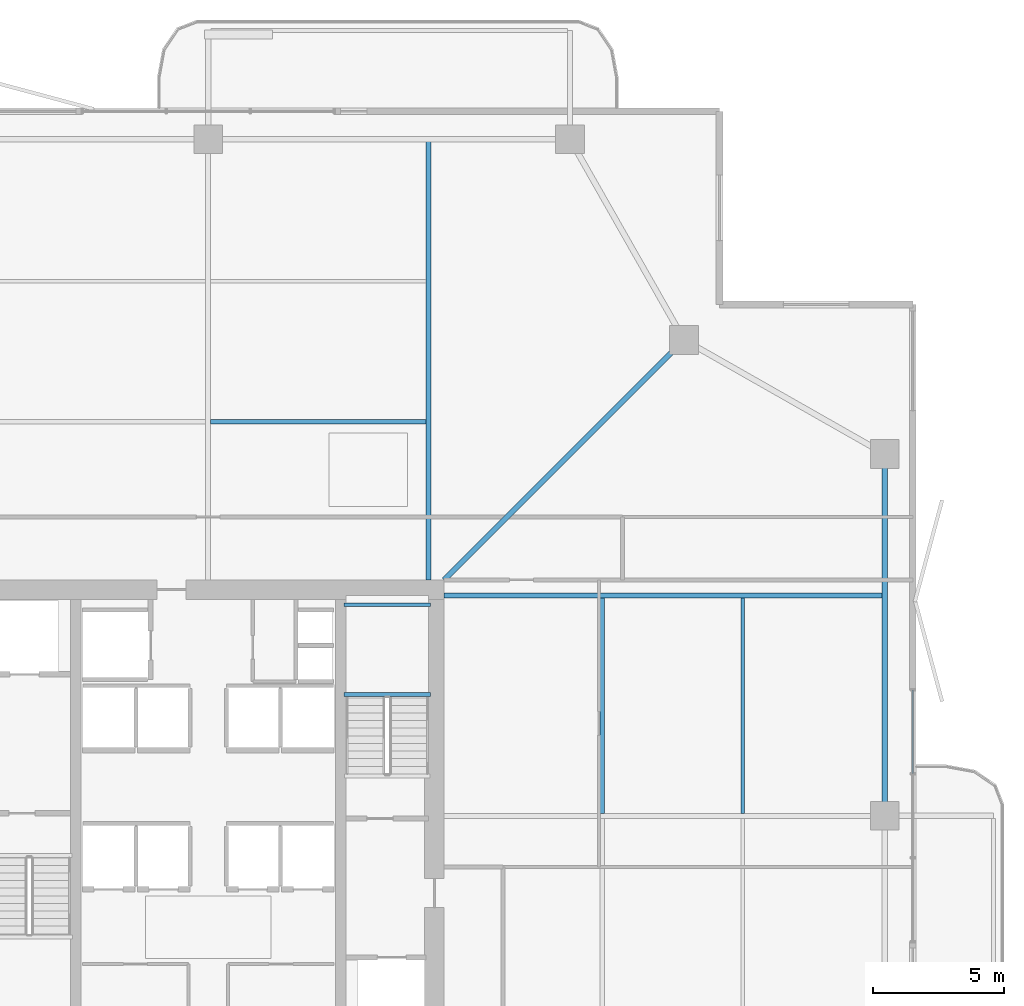
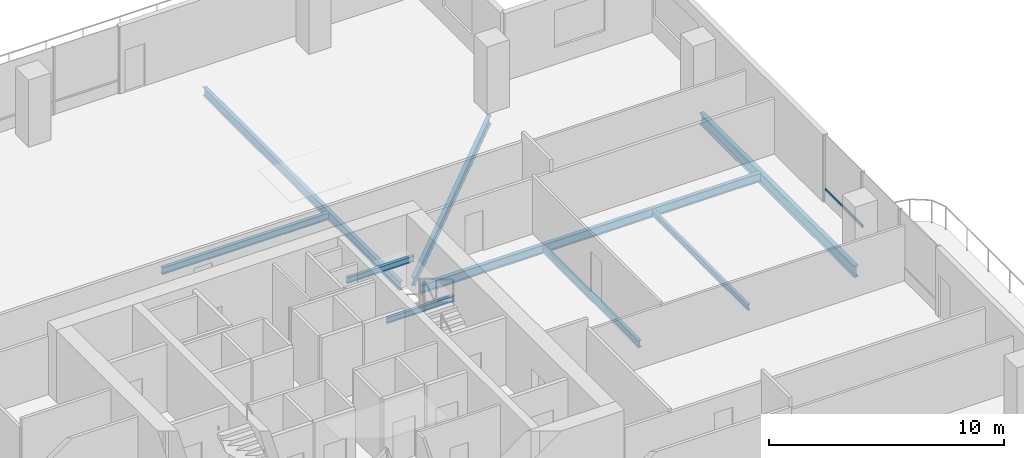
# One storey, part 12 of 23: 9 beams, 1 member, 1 element without a shape of its own.
"""IFC4 building model written with IfcOpenShell, lengths in metres."""

from ifc_helpers import new_model, si_unit, direction, frame, origin, origin_2d, place, context, subcontext, project, spatial, hollow_rectangle, i_section, extrude, material, layer, layer_set, material_profile, profile_set, type_object, element, aggregate, save


model = new_model("IFC4")

# Units and contexts
model_context = context("Model", 3, precision=1e-05, world=origin(), true_north=direction((0.0, 1.0)))
body_context = subcontext(model_context, "Body", "Model", "MODEL_VIEW")
ifc_project = project(units=[si_unit("LENGTHUNIT", "METRE"), si_unit("AREAUNIT", "SQUARE_METRE"), si_unit("VOLUMEUNIT", "CUBIC_METRE"), si_unit("PLANEANGLEUNIT", "RADIAN"), si_unit("MASSUNIT", "GRAM", prefix="KILO")], contexts=[model_context])

# Site, building, storey
site_placement = place(None, origin())
site = spatial("IfcSite", under=ifc_project, at=site_placement, CompositionType="ELEMENT")
building_placement = place(site_placement, origin())
building = spatial("IfcBuilding", under=site, at=building_placement, Name="Belovzor Exchange Tower", CompositionType="ELEMENT")
storey_placement = place(building_placement, frame((0.0, 0.0, 229.949951171875)))
storey = spatial("IfcBuildingStorey", under=building, at=storey_placement, Name="L57", CompositionType="ELEMENT", Elevation=229.949951171875)

# Beams
ifc_material_1 = material(Name="Steel S355", Category="steel")
ifc_material_profile_1 = material_profile(ifc_material_1, i_section(OverallWidth=0.169921875, OverallDepth=0.360107421875, WebThickness=0.008056640625, FlangeThickness=0.0126953125, at=origin_2d()))
ifc_profile_set_1 = profile_set([ifc_material_profile_1], Name="Steel S355")
beam_type_1 = type_object("IfcBeamType", Name="Secondary Infill Floor Joist IPE 360", PredefinedType="BEAM", material=ifc_profile_set_1)
for number, where, z_axis, x_axis, name in (
    (1, (28.89501953125, 43.827880859375, -0.429931640625), (1.0, 0.0, 0.0), (0.0, 1.0, 0.0), "FJ-360 Secondary Infill Floor Joist IPE 360"),
    (2, (43.827880859375, 28.89501953125, -0.429931640625), (0.0, 1.0, 0.0), (-1.0, 0.0, 0.0), "FJ-360 Secondary Infill Floor Joist IPE 360"),
):
    element("IfcBeam", number, at=place(storey_placement, frame(where, z_axis=z_axis, x_axis=x_axis)), inside=storey, type_object=beam_type_1, Name=name, PredefinedType="BEAM", context=body_context, shape_type="SweptSolid", body=[
        extrude(i_section(OverallWidth=0.169921875, OverallDepth=0.360107421875, WebThickness=0.008056640625, FlangeThickness=0.0126953125, at=origin_2d()), origin(), (0.0, 0.0, 1.0), 8.2099609375),
    ])
ifc_material_2 = material(Name="Steel S355", Category="steel")
ifc_material_profile_2 = material_profile(ifc_material_2, i_section(OverallWidth=0.14990234375, OverallDepth=0.300048828125, WebThickness=0.007080078125, FlangeThickness=0.0107421875, at=origin_2d()))
ifc_profile_set_2 = profile_set([ifc_material_profile_2], Name="Steel S355")
beam_type_2 = type_object("IfcBeamType", Name="Secondary Trim Floor Joist IPE 300", PredefinedType="BEAM", material=ifc_profile_set_2)
for number, where, z_axis, x_axis, name in (
    (3, (37.280029296875, 33.419921875, 1.525146484375), (-1.0, 0.0, 0.0), (0.0, -1.0, 0.0), "FJ-300 Secondary Trim Floor Joist IPE 300"),
    (4, (37.280029296875, 36.85009765625, 1.525146484375), (-1.0, 0.0, 0.0), (0.0, -1.0, 0.0), "FJ-300 Secondary Trim Floor Joist IPE 300"),
):
    element("IfcBeam", number, at=place(storey_placement, frame(where, z_axis=z_axis, x_axis=x_axis)), inside=storey, type_object=beam_type_2, Name=name, PredefinedType="BEAM", context=body_context, shape_type="SweptSolid", body=[
        extrude(i_section(OverallWidth=0.14990234375, OverallDepth=0.300048828125, WebThickness=0.007080078125, FlangeThickness=0.0107421875, at=origin_2d()), origin(), (0.0, 0.0, 1.0), 3.31005859375),
    ])
beam_1_placement = place(storey_placement, frame((49.18701171875, 28.89501953125, -0.39990234375), z_axis=(0.0, 1.0, 0.0), x_axis=(-1.0, 0.0, 0.0)))
element("IfcBeam", 5, at=beam_1_placement, inside=storey, type_object=beam_type_2, Name="FJ-300 Secondary Trim Floor Joist IPE 300", PredefinedType="BEAM", context=body_context, shape_type="SweptSolid", body=[
    extrude(i_section(OverallWidth=0.14990234375, OverallDepth=0.300048828125, WebThickness=0.007080078125, FlangeThickness=0.0107421875, at=origin_2d()), origin(), (0.0, 0.0, 1.0), 8.2099609375),
])

# Curtain wall, member
ifc_material_3 = material(Name="Anodised Aluminium Framing", Category="aluminium")
ifc_layer = layer(ifc_material_3, 0.179931640625)
ifc_layer_set = layer_set([ifc_layer], Name="Anodised Aluminium Framing")
curtain_wall_type = type_object("IfcCurtainWallType", Name="Recessed Loggia Low-Iron Triple-Glazed Curtain Wall", PredefinedType="NOTDEFINED", material=ifc_layer_set)
curtain_wall_placement = place(storey_placement, origin())
curtain_wall = element("IfcCurtainWall", 6, at=curtain_wall_placement, inside=storey, type_object=curtain_wall_type, Name="CW3 Recessed Loggia Low-Iron Triple-Glazed Curtain Wall L57", PredefinedType="NOTDEFINED")
ifc_material_4 = material(Name="Steel S355", Category="steel")
ifc_material_profile_3 = material_profile(ifc_material_4, hollow_rectangle(XDim=0.06005859375, YDim=0.14990234375, WallThickness=0.00390625, at=origin_2d()))
ifc_profile_set_3 = profile_set([ifc_material_profile_3], Name="Steel S355")
member_type = type_object("IfcMemberType", Name="Thermally Broken Curtain Wall Transom 150x60", PredefinedType="USERDEFINED", material=ifc_profile_set_3)
member_placement = place(storey_placement, frame((55.669921875, 33.592041015625, 0.630126953125), z_axis=(0.0, -1.0, 0.0), x_axis=(1.0, 0.0, 0.0)))
member = element("IfcMember", 7, at=member_placement, type_object=member_type, Name="CW-T150 Curtain Wall Transom 1", ObjectType="TRANSOM", PredefinedType="USERDEFINED", context=body_context, shape_type="SweptSolid", body=[
    extrude(hollow_rectangle(XDim=0.06005859375, YDim=0.14990234375, WallThickness=0.00390625, at=origin_2d()), origin(), (0.0, 0.0, 1.0), 3.18408203125),
])
aggregate(curtain_wall, [member])

# Beams
ifc_material_5 = material(Name="Steel S355", Category="steel")
ifc_material_profile_4 = material_profile(ifc_material_5, i_section(OverallWidth=0.18994140625, OverallDepth=0.449951171875, WebThickness=0.009521484375, FlangeThickness=0.0146484375, at=origin_2d()))
ifc_profile_set_4 = profile_set([ifc_material_profile_4], Name="Steel S355")
beam_type_3 = type_object("IfcBeamType", Name="Zone 2-4 Radial Composite Floor Beam IPE 450", PredefinedType="BEAM", material=ifc_profile_set_4)
for number, where, z_axis, x_axis, name in (
    (8, (37.199951171875, 37.800048828125, -0.474853515625), (0.0, 1.0, 0.0), (-1.0, 0.0, 0.0), "FB-450 Zone 2-4 Radial Composite Floor Beam IPE 450"),
    (9, (37.800048828125, 37.199951171875, -0.474853515625), (1.0, 0.0, 0.0), (0.0, 1.0, 0.0), "FB-450 Zone 2-4 Radial Composite Floor Beam IPE 450"),
):
    element("IfcBeam", number, at=place(storey_placement, frame(where, z_axis=z_axis, x_axis=x_axis)), inside=storey, type_object=beam_type_3, Name=name, PredefinedType="BEAM", context=body_context, shape_type="SweptSolid", body=[
        extrude(i_section(OverallWidth=0.18994140625, OverallDepth=0.449951171875, WebThickness=0.009521484375, FlangeThickness=0.0146484375, at=origin_2d()), origin(), (0.0, 0.0, 1.0), 16.744873046875),
    ])
beam_2_placement = place(storey_placement, frame((37.800048828125, 37.800048828125, -0.474853515625), z_axis=(0.707106781187, 0.707106781187, 0.0), x_axis=(-0.707106781187, 0.707106781187, 0.0)))
element("IfcBeam", 10, at=beam_2_placement, inside=storey, type_object=beam_type_3, Name="FB-450 Zone 2-4 Radial Composite Floor Beam IPE 450", PredefinedType="BEAM", context=body_context, shape_type="SweptSolid", body=[
    extrude(i_section(OverallWidth=0.18994140625, OverallDepth=0.449951171875, WebThickness=0.009521484375, FlangeThickness=0.0146484375, at=origin_2d()), origin(), (0.0, 0.0, 1.0), 12.551025390625),
])
ifc_material_6 = material(Name="Steel S355", Category="steel")
ifc_material_profile_5 = material_profile(ifc_material_6, i_section(OverallWidth=0.219970703125, OverallDepth=0.60009765625, WebThickness=0.011962890625, FlangeThickness=0.01904296875, at=origin_2d()))
ifc_profile_set_5 = profile_set([ifc_material_profile_5], Name="Steel S355")
beam_type_4 = type_object("IfcBeamType", Name="Zone 4 Flare Primary Girder IPE 600", PredefinedType="BEAM", material=ifc_profile_set_5)
beam_3_placement = place(storey_placement, frame((54.60009765625, 29.10205078125, -0.550048828125), z_axis=(0.0, 1.0, 0.0), x_axis=(-1.0, 0.0, 0.0)))
element("IfcBeam", 11, at=beam_3_placement, inside=storey, type_object=beam_type_4, Name="FG-Z4 Zone 4 Flare Primary Girder IPE 600", PredefinedType="BEAM", context=body_context, shape_type="SweptSolid", body=[
    extrude(i_section(OverallWidth=0.219970703125, OverallDepth=0.60009765625, WebThickness=0.011962890625, FlangeThickness=0.01904296875, at=origin_2d()), origin(), (0.0, 0.0, 1.0), 13.195068359375),
])

save(model, "model.ifc")
